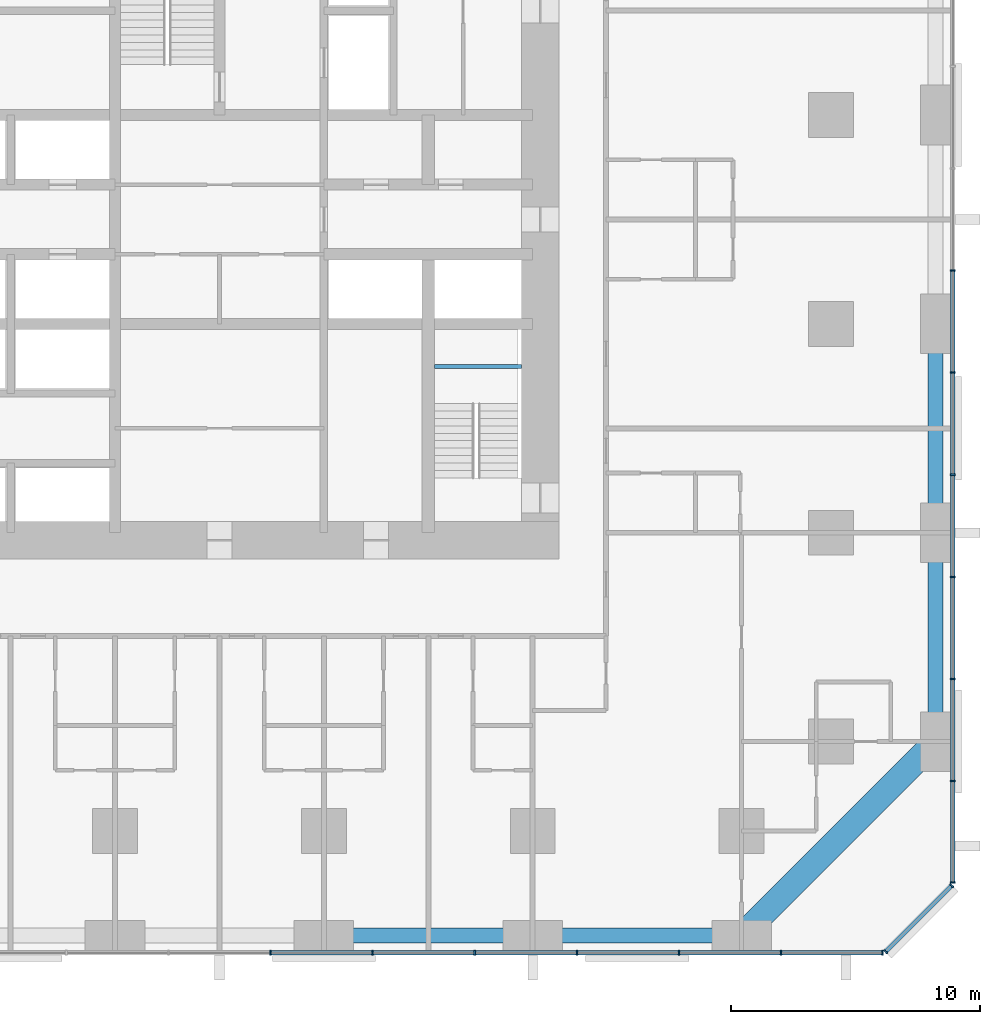
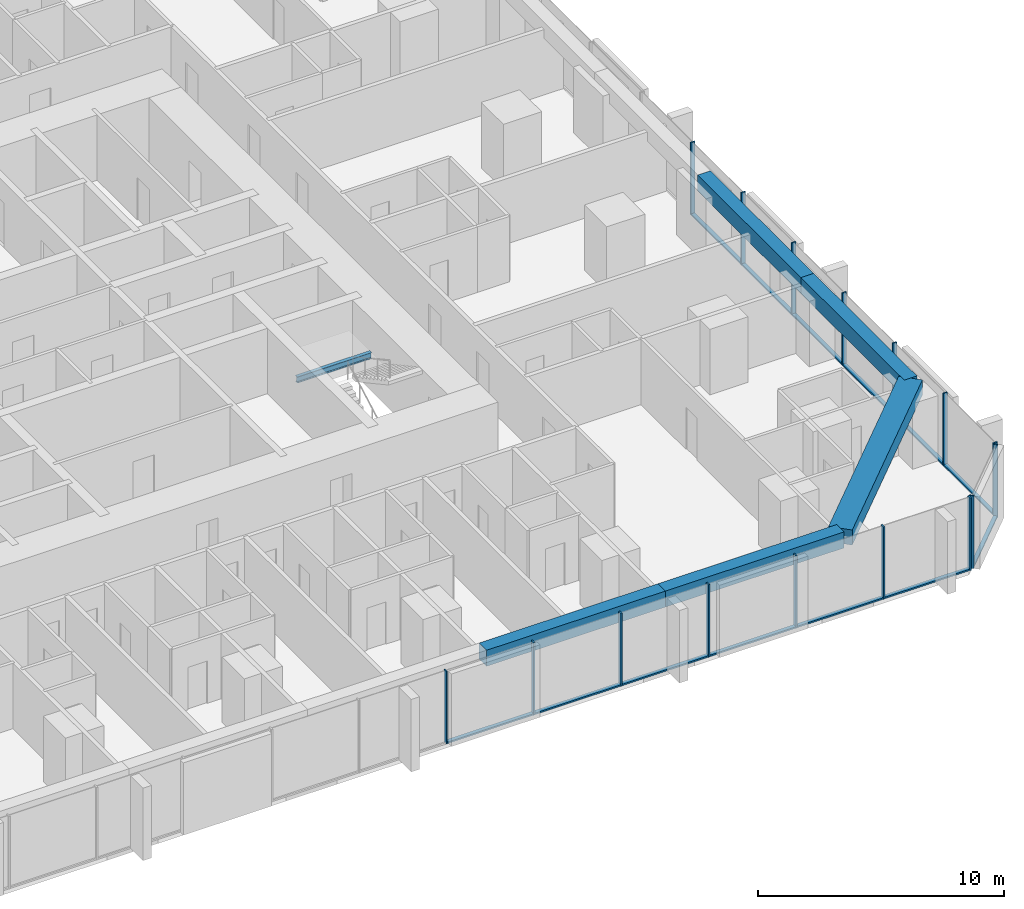
# One storey, part 4 of 17: 29 members, 6 beams, 3 elements without a shape of their own.
"""IFC4 building model written with IfcOpenShell, lengths in metres."""

from ifc_helpers import new_model, si_unit, direction, frame, origin, origin_2d, place, context, subcontext, project, spatial, rectangle, i_section, extrude, material, material_profile, profile_set, type_object, element, aggregate, save


model = new_model("IFC4")

# Units and contexts
model_context = context("Model", 3, precision=1e-05, world=origin(), true_north=direction((0.0, 1.0)))
body_context = subcontext(model_context, "Body", "Model", "MODEL_VIEW")
ifc_project = project(units=[si_unit("LENGTHUNIT", "METRE"), si_unit("AREAUNIT", "SQUARE_METRE"), si_unit("VOLUMEUNIT", "CUBIC_METRE"), si_unit("PLANEANGLEUNIT", "RADIAN"), si_unit("MASSUNIT", "GRAM", prefix="KILO")], contexts=[model_context])

# Site, building, storey
site_placement = place(None, origin())
site = spatial("IfcSite", under=ifc_project, at=site_placement, CompositionType="ELEMENT")
building_placement = place(site_placement, origin())
building = spatial("IfcBuilding", under=site, at=building_placement, Name="Dunama Terrace Hotel", CompositionType="ELEMENT")
storey_placement = place(building_placement, frame((0.0, 0.0, 73.800048828125)))
storey = spatial("IfcBuildingStorey", under=building, at=storey_placement, Name="L18", CompositionType="ELEMENT", Elevation=73.800048828125)

# Curtain wall, members
ifc_material_1 = material(Name="Aluminium curtain wall system", Category="aluminium")
curtain_wall_type = type_object("IfcCurtainWallType", Name="Unitised fritted glass wall CW-A", PredefinedType="NOTDEFINED", material=ifc_material_1)
curtain_wall_1_placement = place(storey_placement, origin())
curtain_wall_1 = element("IfcCurtainWall", 1, at=curtain_wall_1_placement, inside=storey, type_object=curtain_wall_type, Name="Unitised fritted glass wall CW-A L18", PredefinedType="NOTDEFINED")
ifc_material_2 = material(Name="Aluminium mullion", Category="aluminium")
ifc_material_profile_1 = material_profile(ifc_material_2, rectangle(XDim=0.06494140625, YDim=0.199951171875, at=origin_2d()), Name="CWA MULLION 65X200")
ifc_profile_set_1 = profile_set([ifc_material_profile_1], Name="Aluminium mullion")
member_type_1 = type_object("IfcMemberType", Name="CWA mullion 65x200", PredefinedType="MULLION", material=ifc_profile_set_1)
member_1_placement = place(storey_placement, frame((31.4541015625, -0.10009765625, 0.0), z_axis=(0.0, 0.0, 1.0), x_axis=(1.0, 0.0, 0.0)))
member_1 = element("IfcMember", 2, at=member_1_placement, type_object=member_type_1, Name="CWA mullion", PredefinedType="MULLION", context=body_context, shape_type="SweptSolid", body=[
    extrude(rectangle(XDim=0.06494140625, YDim=0.199951171875, at=origin_2d()), origin(), (0.0, 0.0, 1.0), 3.599853515625),
])
member_2_placement = place(storey_placement, frame((35.56201171875, -0.10009765625, 0.0), z_axis=(0.0, 0.0, 1.0), x_axis=(1.0, 0.0, 0.0)))
member_2 = element("IfcMember", 3, at=member_2_placement, type_object=member_type_1, Name="CWA mullion", PredefinedType="MULLION", context=body_context, shape_type="SweptSolid", body=[
    extrude(rectangle(XDim=0.06494140625, YDim=0.199951171875, at=origin_2d()), origin(), (0.0, 0.0, 1.0), 3.599853515625),
])
member_3_placement = place(storey_placement, frame((39.6689453125, -0.10009765625, 0.0), z_axis=(0.0, 0.0, 1.0), x_axis=(1.0, 0.0, 0.0)))
member_3 = element("IfcMember", 4, at=member_3_placement, type_object=member_type_1, Name="CWA mullion", PredefinedType="MULLION", context=body_context, shape_type="SweptSolid", body=[
    extrude(rectangle(XDim=0.06494140625, YDim=0.199951171875, at=origin_2d()), origin(), (0.0, 0.0, 1.0), 3.599853515625),
])
member_4_placement = place(storey_placement, frame((43.777099609375, -0.10009765625, 0.0), z_axis=(0.0, 0.0, 1.0), x_axis=(1.0, 0.0, 0.0)))
member_4 = element("IfcMember", 5, at=member_4_placement, type_object=member_type_1, Name="CWA mullion", PredefinedType="MULLION", context=body_context, shape_type="SweptSolid", body=[
    extrude(rectangle(XDim=0.06494140625, YDim=0.199951171875, at=origin_2d()), origin(), (0.0, 0.0, 1.0), 3.599853515625),
])
member_5_placement = place(storey_placement, frame((47.885009765625, -0.10009765625, 0.0), z_axis=(0.0, 0.0, 1.0), x_axis=(1.0, 0.0, 0.0)))
member_5 = element("IfcMember", 6, at=member_5_placement, type_object=member_type_1, Name="CWA mullion", PredefinedType="MULLION", context=body_context, shape_type="SweptSolid", body=[
    extrude(rectangle(XDim=0.06494140625, YDim=0.199951171875, at=origin_2d()), origin(), (0.0, 0.0, 1.0), 3.599853515625),
])
member_6_placement = place(storey_placement, frame((51.991943359375, -0.10009765625, 0.0), z_axis=(0.0, 0.0, 1.0), x_axis=(1.0, 0.0, 0.0)))
member_6 = element("IfcMember", 7, at=member_6_placement, type_object=member_type_1, Name="CWA mullion", PredefinedType="MULLION", context=body_context, shape_type="SweptSolid", body=[
    extrude(rectangle(XDim=0.06494140625, YDim=0.199951171875, at=origin_2d()), origin(), (0.0, 0.0, 1.0), 3.599853515625),
])
member_7_placement = place(storey_placement, frame((56.06689453125, -0.10009765625, 0.0), z_axis=(0.0, 0.0, 1.0), x_axis=(1.0, 0.0, 0.0)))
member_7 = element("IfcMember", 8, at=member_7_placement, type_object=member_type_1, Name="CWA mullion", PredefinedType="MULLION", context=body_context, shape_type="SweptSolid", body=[
    extrude(rectangle(XDim=0.06494140625, YDim=0.199951171875, at=origin_2d()), origin(), (0.0, 0.0, 1.0), 3.599853515625),
])

curtain_wall_2_placement = place(storey_placement, origin())
curtain_wall_2 = element("IfcCurtainWall", 9, at=curtain_wall_2_placement, inside=storey, type_object=curtain_wall_type, Name="Unitised fritted glass wall CW-A L18", PredefinedType="NOTDEFINED")
member_8_placement = place(storey_placement, frame((56.194091796875, -0.048095703125, 0.0), z_axis=(0.0, 0.0, 1.0), x_axis=(0.707106781187, 0.707106781187, 0.0)))
member_8 = element("IfcMember", 10, at=member_8_placement, type_object=member_type_1, Name="CWA mullion", PredefinedType="MULLION", context=body_context, shape_type="SweptSolid", body=[
    extrude(rectangle(XDim=0.06494140625, YDim=0.199951171875, at=origin_2d()), origin(), (0.0, 0.0, 1.0), 3.599853515625),
])
member_9_placement = place(storey_placement, frame((58.847900390625, 2.60595703125, 0.0), z_axis=(0.0, 0.0, 1.0), x_axis=(0.707106781187, 0.707106781187, 0.0)))
member_9 = element("IfcMember", 11, at=member_9_placement, type_object=member_type_1, Name="CWA mullion", PredefinedType="MULLION", context=body_context, shape_type="SweptSolid", body=[
    extrude(rectangle(XDim=0.06494140625, YDim=0.199951171875, at=origin_2d()), origin(), (0.0, 0.0, 1.0), 3.599853515625),
])

curtain_wall_3_placement = place(storey_placement, origin())
curtain_wall_3 = element("IfcCurtainWall", 12, at=curtain_wall_3_placement, inside=storey, type_object=curtain_wall_type, Name="Unitised fritted glass wall CW-A L18", PredefinedType="NOTDEFINED")
member_10_placement = place(storey_placement, frame((58.89990234375, 2.73291015625, 0.0), z_axis=(0.0, 0.0, 1.0), x_axis=(0.0, 1.0, 0.0)))
member_10 = element("IfcMember", 13, at=member_10_placement, type_object=member_type_1, Name="CWA mullion", PredefinedType="MULLION", context=body_context, shape_type="SweptSolid", body=[
    extrude(rectangle(XDim=0.06494140625, YDim=0.199951171875, at=origin_2d()), origin(), (0.0, 0.0, 1.0), 3.599853515625),
])
member_11_placement = place(storey_placement, frame((58.89990234375, 6.80810546875, 0.0), z_axis=(0.0, 0.0, 1.0), x_axis=(0.0, 1.0, 0.0)))
member_11 = element("IfcMember", 14, at=member_11_placement, type_object=member_type_1, Name="CWA mullion", PredefinedType="MULLION", context=body_context, shape_type="SweptSolid", body=[
    extrude(rectangle(XDim=0.06494140625, YDim=0.199951171875, at=origin_2d()), origin(), (0.0, 0.0, 1.0), 3.599853515625),
])
member_12_placement = place(storey_placement, frame((58.89990234375, 10.9150390625, 0.0), z_axis=(0.0, 0.0, 1.0), x_axis=(0.0, 1.0, 0.0)))
member_12 = element("IfcMember", 15, at=member_12_placement, type_object=member_type_1, Name="CWA mullion", PredefinedType="MULLION", context=body_context, shape_type="SweptSolid", body=[
    extrude(rectangle(XDim=0.06494140625, YDim=0.199951171875, at=origin_2d()), origin(), (0.0, 0.0, 1.0), 3.599853515625),
])
member_13_placement = place(storey_placement, frame((58.89990234375, 15.02294921875, 0.0), z_axis=(0.0, 0.0, 1.0), x_axis=(0.0, 1.0, 0.0)))
member_13 = element("IfcMember", 16, at=member_13_placement, type_object=member_type_1, Name="CWA mullion", PredefinedType="MULLION", context=body_context, shape_type="SweptSolid", body=[
    extrude(rectangle(XDim=0.06494140625, YDim=0.199951171875, at=origin_2d()), origin(), (0.0, 0.0, 1.0), 3.599853515625),
])
member_14_placement = place(storey_placement, frame((58.89990234375, 19.131103515625, 0.0), z_axis=(0.0, 0.0, 1.0), x_axis=(0.0, 1.0, 0.0)))
member_14 = element("IfcMember", 17, at=member_14_placement, type_object=member_type_1, Name="CWA mullion", PredefinedType="MULLION", context=body_context, shape_type="SweptSolid", body=[
    extrude(rectangle(XDim=0.06494140625, YDim=0.199951171875, at=origin_2d()), origin(), (0.0, 0.0, 1.0), 3.599853515625),
])
member_15_placement = place(storey_placement, frame((58.89990234375, 23.238037109375, 0.0), z_axis=(0.0, 0.0, 1.0), x_axis=(0.0, 1.0, 0.0)))
member_15 = element("IfcMember", 18, at=member_15_placement, type_object=member_type_1, Name="CWA mullion", PredefinedType="MULLION", context=body_context, shape_type="SweptSolid", body=[
    extrude(rectangle(XDim=0.06494140625, YDim=0.199951171875, at=origin_2d()), origin(), (0.0, 0.0, 1.0), 3.599853515625),
])
member_16_placement = place(storey_placement, frame((58.89990234375, 27.345947265625, 0.0), z_axis=(0.0, 0.0, 1.0), x_axis=(0.0, 1.0, 0.0)))
member_16 = element("IfcMember", 19, at=member_16_placement, type_object=member_type_1, Name="CWA mullion", PredefinedType="MULLION", context=body_context, shape_type="SweptSolid", body=[
    extrude(rectangle(XDim=0.06494140625, YDim=0.199951171875, at=origin_2d()), origin(), (0.0, 0.0, 1.0), 3.599853515625),
])

# Member
ifc_material_3 = material(Name="Aluminium transom", Category="aluminium")
ifc_material_profile_2 = material_profile(ifc_material_3, rectangle(XDim=0.179931640625, YDim=0.074951171875, at=origin_2d()), Name="CWA TRANSOM 180X75")
ifc_profile_set_2 = profile_set([ifc_material_profile_2], Name="Aluminium transom")
member_type_2 = type_object("IfcMemberType", Name="CWA transom 180x75", PredefinedType="USERDEFINED", material=ifc_profile_set_2)
member_17_placement = place(storey_placement, frame((31.486083984375, -0.10009765625, 0.037353515625), z_axis=(1.0, 0.0, 0.0), x_axis=(0.0, 1.0, 0.0)))
member_17 = element("IfcMember", 20, at=member_17_placement, type_object=member_type_2, Name="CWA transom", ObjectType="TRANSOM", PredefinedType="USERDEFINED", context=body_context, shape_type="SweptSolid", body=[
    extrude(rectangle(XDim=0.179931640625, YDim=0.074951171875, at=origin_2d()), origin(), (0.0, 0.0, 1.0), 4.04296875),
])

member_18_placement = place(storey_placement, frame((35.593994140625, -0.10009765625, 0.037353515625), z_axis=(1.0, 0.0, 0.0), x_axis=(0.0, 1.0, 0.0)))
member_18 = element("IfcMember", 21, at=member_18_placement, type_object=member_type_2, Name="CWA transom", ObjectType="TRANSOM", PredefinedType="USERDEFINED", context=body_context, shape_type="SweptSolid", body=[
    extrude(rectangle(XDim=0.179931640625, YDim=0.074951171875, at=origin_2d()), origin(), (0.0, 0.0, 1.0), 4.04296875),
])

member_19_placement = place(storey_placement, frame((39.701904296875, -0.10009765625, 0.037353515625), z_axis=(1.0, 0.0, 0.0), x_axis=(0.0, 1.0, 0.0)))
member_19 = element("IfcMember", 22, at=member_19_placement, type_object=member_type_2, Name="CWA transom", ObjectType="TRANSOM", PredefinedType="USERDEFINED", context=body_context, shape_type="SweptSolid", body=[
    extrude(rectangle(XDim=0.179931640625, YDim=0.074951171875, at=origin_2d()), origin(), (0.0, 0.0, 1.0), 4.0419921875),
])

member_20_placement = place(storey_placement, frame((43.80908203125, -0.10009765625, 0.037353515625), z_axis=(1.0, 0.0, 0.0), x_axis=(0.0, 1.0, 0.0)))
member_20 = element("IfcMember", 23, at=member_20_placement, type_object=member_type_2, Name="CWA transom", ObjectType="TRANSOM", PredefinedType="USERDEFINED", context=body_context, shape_type="SweptSolid", body=[
    extrude(rectangle(XDim=0.179931640625, YDim=0.074951171875, at=origin_2d()), origin(), (0.0, 0.0, 1.0), 4.04296875),
])

member_21_placement = place(storey_placement, frame((47.9169921875, -0.10009765625, 0.037353515625), z_axis=(1.0, 0.0, 0.0), x_axis=(0.0, 1.0, 0.0)))
member_21 = element("IfcMember", 24, at=member_21_placement, type_object=member_type_2, Name="CWA transom", ObjectType="TRANSOM", PredefinedType="USERDEFINED", context=body_context, shape_type="SweptSolid", body=[
    extrude(rectangle(XDim=0.179931640625, YDim=0.074951171875, at=origin_2d()), origin(), (0.0, 0.0, 1.0), 4.04296875),
])

member_22_placement = place(storey_placement, frame((52.02490234375, -0.10009765625, 0.037353515625), z_axis=(1.0, 0.0, 0.0), x_axis=(0.0, 1.0, 0.0)))
member_22 = element("IfcMember", 25, at=member_22_placement, type_object=member_type_2, Name="CWA transom", ObjectType="TRANSOM", PredefinedType="USERDEFINED", context=body_context, shape_type="SweptSolid", body=[
    extrude(rectangle(XDim=0.179931640625, YDim=0.074951171875, at=origin_2d()), origin(), (0.0, 0.0, 1.0), 4.010009765625),
])

aggregate(curtain_wall_1, [member_1, member_2, member_3, member_4, member_5, member_6, member_7, member_17, member_18, member_19, member_20, member_21, member_22])

member_23_placement = place(storey_placement, frame((56.217041015625, -0.02490234375, 0.037353515625), z_axis=(0.707106781187, 0.707106781187, 0.0), x_axis=(-0.707106781187, 0.707106781187, 0.0)))
member_23 = element("IfcMember", 26, at=member_23_placement, type_object=member_type_2, Name="CWA transom", ObjectType="TRANSOM", PredefinedType="USERDEFINED", context=body_context, shape_type="SweptSolid", body=[
    extrude(rectangle(XDim=0.179931640625, YDim=0.074951171875, at=origin_2d()), origin(), (0.0, 0.0, 1.0), 3.688232421875),
])

aggregate(curtain_wall_2, [member_8, member_9, member_23])

member_24_placement = place(storey_placement, frame((58.89990234375, 2.764892578125, 0.037353515625), z_axis=(0.0, 1.0, 0.0), x_axis=(-1.0, 0.0, 0.0)))
member_24 = element("IfcMember", 27, at=member_24_placement, type_object=member_type_2, Name="CWA transom", ObjectType="TRANSOM", PredefinedType="USERDEFINED", context=body_context, shape_type="SweptSolid", body=[
    extrude(rectangle(XDim=0.179931640625, YDim=0.074951171875, at=origin_2d()), origin(), (0.0, 0.0, 1.0), 4.010009765625),
])

member_25_placement = place(storey_placement, frame((58.89990234375, 6.840087890625, 0.037353515625), z_axis=(0.0, 1.0, 0.0), x_axis=(-1.0, 0.0, 0.0)))
member_25 = element("IfcMember", 28, at=member_25_placement, type_object=member_type_2, Name="CWA transom", ObjectType="TRANSOM", PredefinedType="USERDEFINED", context=body_context, shape_type="SweptSolid", body=[
    extrude(rectangle(XDim=0.179931640625, YDim=0.074951171875, at=origin_2d()), origin(), (0.0, 0.0, 1.0), 4.04296875),
])

member_26_placement = place(storey_placement, frame((58.89990234375, 10.947998046875, 0.037353515625), z_axis=(0.0, 1.0, 0.0), x_axis=(-1.0, 0.0, 0.0)))
member_26 = element("IfcMember", 29, at=member_26_placement, type_object=member_type_2, Name="CWA transom", ObjectType="TRANSOM", PredefinedType="USERDEFINED", context=body_context, shape_type="SweptSolid", body=[
    extrude(rectangle(XDim=0.179931640625, YDim=0.074951171875, at=origin_2d()), origin(), (0.0, 0.0, 1.0), 4.04296875),
])

member_27_placement = place(storey_placement, frame((58.89990234375, 15.055908203125, 0.037353515625), z_axis=(0.0, 1.0, 0.0), x_axis=(-1.0, 0.0, 0.0)))
member_27 = element("IfcMember", 30, at=member_27_placement, type_object=member_type_2, Name="CWA transom", ObjectType="TRANSOM", PredefinedType="USERDEFINED", context=body_context, shape_type="SweptSolid", body=[
    extrude(rectangle(XDim=0.179931640625, YDim=0.074951171875, at=origin_2d()), origin(), (0.0, 0.0, 1.0), 4.0419921875),
])

member_28_placement = place(storey_placement, frame((58.89990234375, 19.1630859375, 0.037353515625), z_axis=(0.0, 1.0, 0.0), x_axis=(-1.0, 0.0, 0.0)))
member_28 = element("IfcMember", 31, at=member_28_placement, type_object=member_type_2, Name="CWA transom", ObjectType="TRANSOM", PredefinedType="USERDEFINED", context=body_context, shape_type="SweptSolid", body=[
    extrude(rectangle(XDim=0.179931640625, YDim=0.074951171875, at=origin_2d()), origin(), (0.0, 0.0, 1.0), 4.04296875),
])

member_29_placement = place(storey_placement, frame((58.89990234375, 23.27099609375, 0.037353515625), z_axis=(0.0, 1.0, 0.0), x_axis=(-1.0, 0.0, 0.0)))
member_29 = element("IfcMember", 32, at=member_29_placement, type_object=member_type_2, Name="CWA transom", ObjectType="TRANSOM", PredefinedType="USERDEFINED", context=body_context, shape_type="SweptSolid", body=[
    extrude(rectangle(XDim=0.179931640625, YDim=0.074951171875, at=origin_2d()), origin(), (0.0, 0.0, 1.0), 4.04296875),
])

aggregate(curtain_wall_3, [member_10, member_11, member_12, member_13, member_14, member_15, member_16, member_24, member_25, member_26, member_27, member_28, member_29])

# Beams
ifc_material_4 = material(Name="Concrete C50/60", Category="concrete")
ifc_material_profile_3 = material_profile(ifc_material_4, rectangle(XDim=1.0, YDim=0.75, at=origin_2d()), Name="RC 1000x750")
ifc_profile_set_3 = profile_set([ifc_material_profile_3], Name="Concrete C50/60")
beam_type_1 = type_object("IfcBeamType", Name="Edge beam RC 1000x750", PredefinedType="SPANDREL", material=ifc_profile_set_3)
beam_1_placement = place(storey_placement, frame((50.39990234375, 0.60009765625, 3.224853515625), z_axis=(0.707117847453, 0.707095714747, 0.0), x_axis=(-0.707095714747, 0.707117847453, 0.0)))
element("IfcBeam", 33, at=beam_1_placement, inside=storey, type_object=beam_type_1, Name="Corner edge beam under L19", PredefinedType="SPANDREL", context=body_context, shape_type="SweptSolid", body=[
    extrude(rectangle(XDim=1.0, YDim=0.75, at=origin_2d()), origin(), (0.0, 0.0, 1.0), 11.03076171875),
])
ifc_material_5 = material(Name="Concrete C40/50", Category="concrete")
ifc_material_profile_4 = material_profile(ifc_material_5, rectangle(XDim=0.60009765625, YDim=0.800048828125, at=origin_2d()), Name="RC 600x800")
ifc_profile_set_4 = profile_set([ifc_material_profile_4], Name="Concrete C40/50")
beam_type_2 = type_object("IfcBeamType", Name="Edge beam RC 600x800", PredefinedType="SPANDREL", material=ifc_profile_set_4)
beam_2_placement = place(storey_placement, frame((58.199951171875, 8.39990234375, 3.199951171875), z_axis=(0.0, 1.0, 0.0), x_axis=(-1.0, 0.0, 0.0)))
element("IfcBeam", 34, at=beam_2_placement, inside=storey, type_object=beam_type_2, Name="Edge beam under L19", PredefinedType="SPANDREL", context=body_context, shape_type="SweptSolid", body=[
    extrude(rectangle(XDim=0.60009765625, YDim=0.800048828125, at=origin_2d()), origin(), (0.0, 0.0, 1.0), 8.400146484375),
])
for number, where, z_axis, x_axis, name in (
    (35, (58.199951171875, 16.800048828125, 3.199951171875), (0.0, 1.0, 0.0), (-1.0, 0.0, 0.0), "Edge beam under L19"),
    (36, (33.60009765625, 0.60009765625, 3.199951171875), (1.0, 0.0, 0.0), (0.0, 1.0, 0.0), "Edge beam under L19"),
    (37, (42.0, 0.60009765625, 3.199951171875), (1.0, 0.0, 0.0), (0.0, 1.0, 0.0), "Edge beam under L19"),
):
    element("IfcBeam", number, at=place(storey_placement, frame(where, z_axis=z_axis, x_axis=x_axis)), inside=storey, type_object=beam_type_2, Name=name, PredefinedType="SPANDREL", context=body_context, shape_type="SweptSolid", body=[
        extrude(rectangle(XDim=0.60009765625, YDim=0.800048828125, at=origin_2d()), origin(), (0.0, 0.0, 1.0), 8.39990234375),
    ])
ifc_material_6 = material(Name="Steel S355", Category="steel")
ifc_material_profile_5 = material_profile(ifc_material_6, i_section(OverallWidth=0.1650390625, OverallDepth=0.303466796875, WebThickness=0.006103515625, FlangeThickness=0.01025390625, FilletRadius=0.0087890625, at=origin_2d()), Name="UB 305x165x40")
ifc_profile_set_5 = profile_set([ifc_material_profile_5], Name="Steel S355")
beam_type_3 = type_object("IfcBeamType", Name="Stair beam UB 305x165x40", PredefinedType="BEAM", material=ifc_profile_set_5)
beam_3_placement = place(storey_placement, frame((38.050048828125, 23.487548828125, 1.4482421875), z_axis=(1.0, 0.0, 0.0), x_axis=(0.0, 1.0, 0.0)))
element("IfcBeam", 38, at=beam_3_placement, inside=storey, type_object=beam_type_3, Name="Stair landing beam ST2 L18", PredefinedType="BEAM", context=body_context, shape_type="SweptSolid", body=[
    extrude(i_section(OverallWidth=0.1650390625, OverallDepth=0.303466796875, WebThickness=0.006103515625, FlangeThickness=0.01025390625, FilletRadius=0.0087890625, at=origin_2d()), origin(), (0.0, 0.0, 1.0), 3.5),
])

save(model, "model.ifc")
